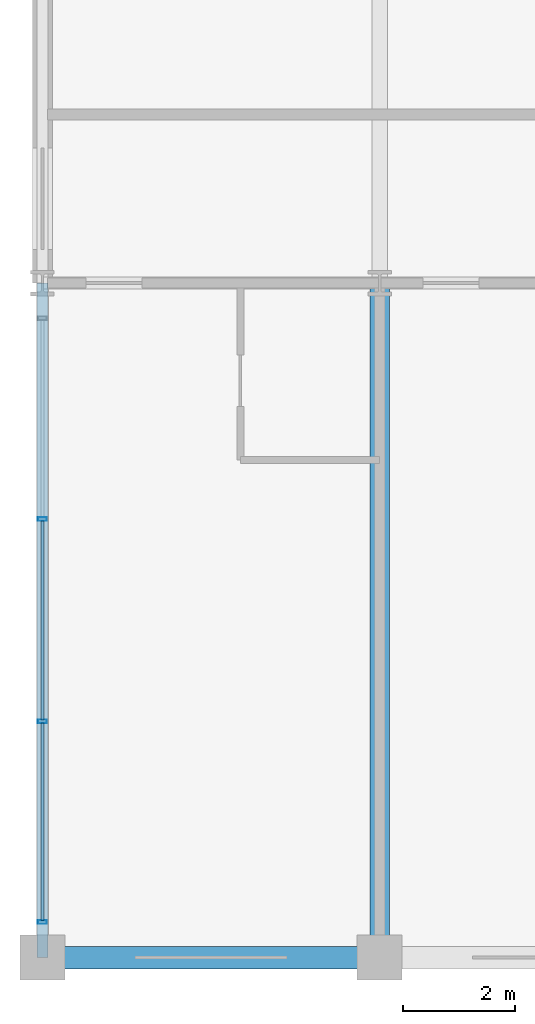
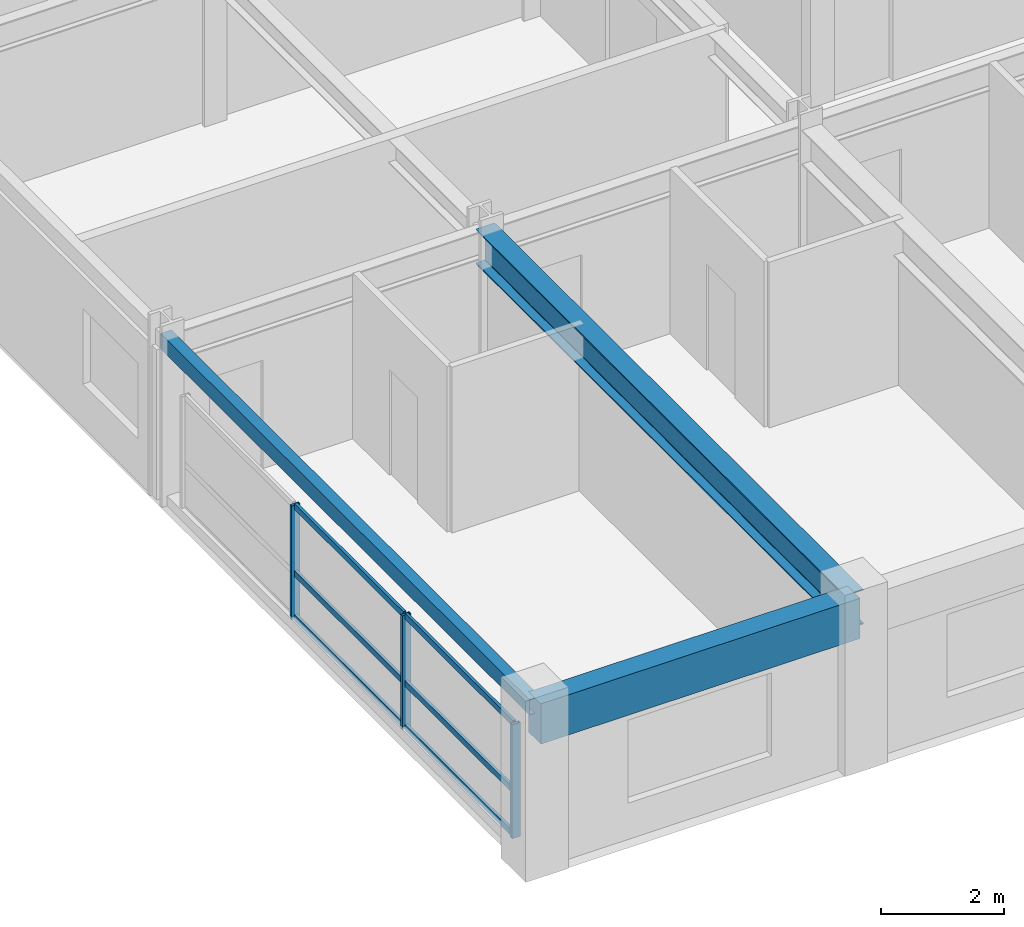
# One storey, part 2 of 26: 9 members, 3 beams, 1 element without a shape of its own.
"""IFC4 building model written with IfcOpenShell, lengths in metres."""

from ifc_helpers import new_model, si_unit, direction, frame, origin, origin_2d, place, context, subcontext, project, spatial, rectangle, hollow_rectangle, i_section, extrude, material, material_profile, profile_set, type_object, element, aggregate, save


model = new_model("IFC4")

# Units and contexts
model_context = context("Model", 3, precision=1e-05, world=origin(), true_north=direction((0.0, 1.0)))
body_context = subcontext(model_context, "Body", "Model", "MODEL_VIEW")
ifc_project = project(units=[si_unit("LENGTHUNIT", "METRE"), si_unit("AREAUNIT", "SQUARE_METRE"), si_unit("VOLUMEUNIT", "CUBIC_METRE"), si_unit("PLANEANGLEUNIT", "RADIAN"), si_unit("MASSUNIT", "GRAM", prefix="KILO")], contexts=[model_context])

# Site, building, storey
site_placement = place(None, origin())
site = spatial("IfcSite", under=ifc_project, at=site_placement, CompositionType="ELEMENT")
building_placement = place(site_placement, origin())
building = spatial("IfcBuilding", under=site, at=building_placement, Name="Kaldorvane Square Convention Centre", CompositionType="ELEMENT")
storey_placement = place(building_placement, frame((0.0, 0.0, 45.600006103515625)))
storey = spatial("IfcBuildingStorey", under=building, at=storey_placement, Name="L10", CompositionType="ELEMENT", Elevation=45.600006103515625)

# Beams
ifc_material_1 = material(Name="Steel ASTM A992 Gr. 50", Category="steel")
ifc_material_profile_1 = material_profile(ifc_material_1, i_section(OverallWidth=0.354705810546875, OverallDepth=0.69549560546875, WebThickness=0.0153961181640625, FlangeThickness=0.0251007080078125, FilletRadius=0.01519775390625, at=origin_2d()), Name="W27X146")
ifc_profile_set_1 = profile_set([ifc_material_profile_1], Name="Steel ASTM A992 Gr. 50")
beam_type_1 = type_object("IfcBeamType", Name="BM-GR-W27X146", PredefinedType="BEAM", material=ifc_profile_set_1)
beam_1_placement = place(storey_placement, frame((30.0, 84.0, 2.93829345703125), z_axis=(0.0, 1.0, 0.0), x_axis=(-1.0, 0.0, 0.0)))
element("IfcBeam", 1, at=beam_1_placement, inside=storey, type_object=beam_type_1, Name="Transverse Girder (L10)", PredefinedType="BEAM", context=body_context, shape_type="SweptSolid", body=[
    extrude(i_section(OverallWidth=0.354705810546875, OverallDepth=0.69549560546875, WebThickness=0.0153961181640625, FlangeThickness=0.0251007080078125, FilletRadius=0.01519775390625, at=origin_2d()), origin(), (0.0, 0.0, 1.0), 12.0),
])
ifc_material_2 = material(Name="Steel ASTM A500 Gr. C", Category="steel")
ifc_material_profile_2 = material_profile(ifc_material_2, hollow_rectangle(XDim=0.2032012939453125, YDim=0.3047943115234375, WallThickness=0.0088958740234375, at=origin_2d()), Name="HSS12X8X3/8")
ifc_profile_set_2 = profile_set([ifc_material_profile_2], Name="Steel ASTM A500 Gr. C")
beam_type_2 = type_object("IfcBeamType", Name="BM-SP-HSS12", PredefinedType="SPANDREL", material=ifc_profile_set_2)
beam_2_placement = place(storey_placement, frame((24.0, 84.0, 3.1335906982421875), z_axis=(0.0, 1.0, 0.0), x_axis=(-1.0, 0.0, 0.0)))
element("IfcBeam", 2, at=beam_2_placement, inside=storey, type_object=beam_type_2, Name="End Spandrel (L10)", PredefinedType="SPANDREL", context=body_context, shape_type="SweptSolid", body=[
    extrude(hollow_rectangle(XDim=0.2032012939453125, YDim=0.3047943115234375, WallThickness=0.0088958740234375, at=origin_2d()), origin(), (0.0, 0.0, 1.0), 12.0),
])
ifc_material_3 = material(Name="Concrete f'c = 42 MPa (Normalweight)", Category="concrete")
ifc_material_profile_3 = material_profile(ifc_material_3, rectangle(XDim=0.399993896484375, YDim=0.8000030517578125, at=origin_2d()), Name="RCSP800X400")
ifc_profile_set_3 = profile_set([ifc_material_profile_3], Name="Concrete f'c = 42 MPa (Normalweight)")
beam_type_3 = type_object("IfcBeamType", Name="BM-SP-RC800", PredefinedType="SPANDREL", material=ifc_profile_set_3)
beam_3_placement = place(storey_placement, frame((24.0, 84.0, 2.885986328125), z_axis=(1.0, 0.0, 0.0), x_axis=(0.0, 1.0, 0.0)))
element("IfcBeam", 3, at=beam_3_placement, inside=storey, type_object=beam_type_3, Name="Perimeter Spandrel (L10)", PredefinedType="SPANDREL", context=body_context, shape_type="SweptSolid", body=[
    extrude(rectangle(XDim=0.399993896484375, YDim=0.8000030517578125, at=origin_2d()), origin(), (0.0, 0.0, 1.0), 6.0),
])

# Curtain wall, members
ifc_material_4 = material(Name="Anodized Aluminum and Low-E Insulated Glazing", Category="aluminium")
curtain_wall_type = type_object("IfcCurtainWallType", Name="CW-UNI-HTL-B", PredefinedType="USERDEFINED", material=ifc_material_4)
curtain_wall_placement = place(storey_placement, origin())
curtain_wall = element("IfcCurtainWall", 4, at=curtain_wall_placement, inside=storey, type_object=curtain_wall_type, Name="Curtain Wall CW-11 (L10)", ObjectType="UNITISED GLAZING", PredefinedType="USERDEFINED")
ifc_material_profile_4 = material_profile(ifc_material_4, hollow_rectangle(XDim=0.05999755859375, YDim=0.160003662109375, WallThickness=0.003204345703125, at=origin_2d()), Name="CWM-160X60")
ifc_profile_set_4 = profile_set([ifc_material_profile_4], Name="Anodized Aluminum and Low-E Insulated Glazing")
member_type_1 = type_object("IfcMemberType", Name="CW-MUL-160", PredefinedType="MULLION", material=ifc_profile_set_4)
member_1_placement = place(storey_placement, frame((24.0, 91.80000305175781, 0.149993896484375), z_axis=(0.0, 0.0, 1.0), x_axis=(0.0, -1.0, 0.0)))
member_1 = element("IfcMember", 5, at=member_1_placement, type_object=member_type_1, Name="CW-11 mullion 2", PredefinedType="MULLION", context=body_context, shape_type="SweptSolid", body=[
    extrude(hollow_rectangle(XDim=0.05999755859375, YDim=0.160003662109375, WallThickness=0.003204345703125, at=origin_2d()), origin(), (0.0, 0.0, 1.0), 2.2599945068359375),
])
member_2_placement = place(storey_placement, frame((24.0, 88.19999694824219, 0.149993896484375), z_axis=(0.0, 0.0, 1.0), x_axis=(0.0, -1.0, 0.0)))
member_2 = element("IfcMember", 6, at=member_2_placement, type_object=member_type_1, Name="CW-11 mullion 3", PredefinedType="MULLION", context=body_context, shape_type="SweptSolid", body=[
    extrude(hollow_rectangle(XDim=0.05999755859375, YDim=0.160003662109375, WallThickness=0.003204345703125, at=origin_2d()), origin(), (0.0, 0.0, 1.0), 2.2599945068359375),
])
member_3_placement = place(storey_placement, frame((24.0, 84.6300048828125, 0.149993896484375), z_axis=(0.0, 0.0, 1.0), x_axis=(0.0, -1.0, 0.0)))
member_3 = element("IfcMember", 7, at=member_3_placement, type_object=member_type_1, Name="CW-11 mullion 4", PredefinedType="MULLION", context=body_context, shape_type="SweptSolid", body=[
    extrude(hollow_rectangle(XDim=0.05999755859375, YDim=0.160003662109375, WallThickness=0.003204345703125, at=origin_2d()), origin(), (0.0, 0.0, 1.0), 2.2599945068359375),
])
ifc_material_profile_5 = material_profile(ifc_material_4, hollow_rectangle(XDim=0.05499267578125, YDim=0.1199951171875, WallThickness=0.0030059814453125, at=origin_2d()), Name="CWT-120X55")
ifc_profile_set_5 = profile_set([ifc_material_profile_5], Name="Anodized Aluminum and Low-E Insulated Glazing")
member_type_2 = type_object("IfcMemberType", Name="CW-TRN-120", PredefinedType="USERDEFINED", material=ifc_profile_set_5)
member_4_placement = place(storey_placement, frame((24.0, 91.77000427246094, 0.177490234375), z_axis=(0.0, -1.0, 0.0), x_axis=(1.0, 0.0, 0.0)))
member_4 = element("IfcMember", 8, at=member_4_placement, type_object=member_type_2, Name="CW-11 transom 2.1", ObjectType="TRANSOM", PredefinedType="USERDEFINED", context=body_context, shape_type="SweptSolid", body=[
    extrude(hollow_rectangle(XDim=0.05499267578125, YDim=0.1199951171875, WallThickness=0.0030059814453125, at=origin_2d()), origin(), (0.0, 0.0, 1.0), 3.540008544921875),
])
member_5_placement = place(storey_placement, frame((24.0, 91.77000427246094, 1.04998779296875), z_axis=(0.0, -1.0, 0.0), x_axis=(1.0, 0.0, 0.0)))
member_5 = element("IfcMember", 9, at=member_5_placement, type_object=member_type_2, Name="CW-11 transom 2.2", ObjectType="TRANSOM", PredefinedType="USERDEFINED", context=body_context, shape_type="SweptSolid", body=[
    extrude(hollow_rectangle(XDim=0.05499267578125, YDim=0.1199951171875, WallThickness=0.0030059814453125, at=origin_2d()), origin(), (0.0, 0.0, 1.0), 3.540008544921875),
])
member_6_placement = place(storey_placement, frame((24.0, 91.77000427246094, 2.3824920654296875), z_axis=(0.0, -1.0, 0.0), x_axis=(1.0, 0.0, 0.0)))
member_6 = element("IfcMember", 10, at=member_6_placement, type_object=member_type_2, Name="CW-11 transom 2.3", ObjectType="TRANSOM", PredefinedType="USERDEFINED", context=body_context, shape_type="SweptSolid", body=[
    extrude(hollow_rectangle(XDim=0.05499267578125, YDim=0.1199951171875, WallThickness=0.0030059814453125, at=origin_2d()), origin(), (0.0, 0.0, 1.0), 3.540008544921875),
])
member_7_placement = place(storey_placement, frame((24.0, 88.16999816894531, 0.177490234375), z_axis=(0.0, -1.0, 0.0), x_axis=(1.0, 0.0, 0.0)))
member_7 = element("IfcMember", 11, at=member_7_placement, type_object=member_type_2, Name="CW-11 transom 3.1", ObjectType="TRANSOM", PredefinedType="USERDEFINED", context=body_context, shape_type="SweptSolid", body=[
    extrude(hollow_rectangle(XDim=0.05499267578125, YDim=0.1199951171875, WallThickness=0.0030059814453125, at=origin_2d()), origin(), (0.0, 0.0, 1.0), 3.5099945068359375),
])
member_8_placement = place(storey_placement, frame((24.0, 88.16999816894531, 1.04998779296875), z_axis=(0.0, -1.0, 0.0), x_axis=(1.0, 0.0, 0.0)))
member_8 = element("IfcMember", 12, at=member_8_placement, type_object=member_type_2, Name="CW-11 transom 3.2", ObjectType="TRANSOM", PredefinedType="USERDEFINED", context=body_context, shape_type="SweptSolid", body=[
    extrude(hollow_rectangle(XDim=0.05499267578125, YDim=0.1199951171875, WallThickness=0.0030059814453125, at=origin_2d()), origin(), (0.0, 0.0, 1.0), 3.5099945068359375),
])
member_9_placement = place(storey_placement, frame((24.0, 88.16999816894531, 2.3824920654296875), z_axis=(0.0, -1.0, 0.0), x_axis=(1.0, 0.0, 0.0)))
member_9 = element("IfcMember", 13, at=member_9_placement, type_object=member_type_2, Name="CW-11 transom 3.3", ObjectType="TRANSOM", PredefinedType="USERDEFINED", context=body_context, shape_type="SweptSolid", body=[
    extrude(hollow_rectangle(XDim=0.05499267578125, YDim=0.1199951171875, WallThickness=0.0030059814453125, at=origin_2d()), origin(), (0.0, 0.0, 1.0), 3.5099945068359375),
])
aggregate(curtain_wall, [member_1, member_2, member_3, member_4, member_5, member_6, member_7, member_8, member_9])

save(model, "model.ifc")
